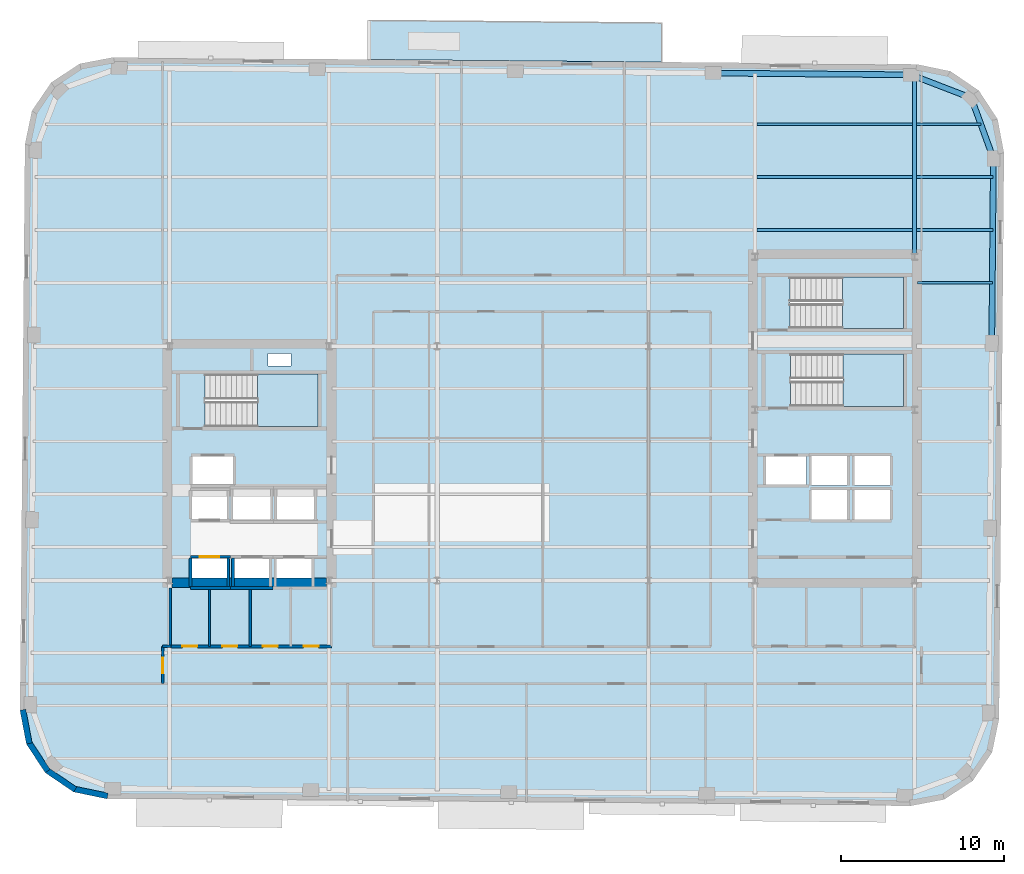
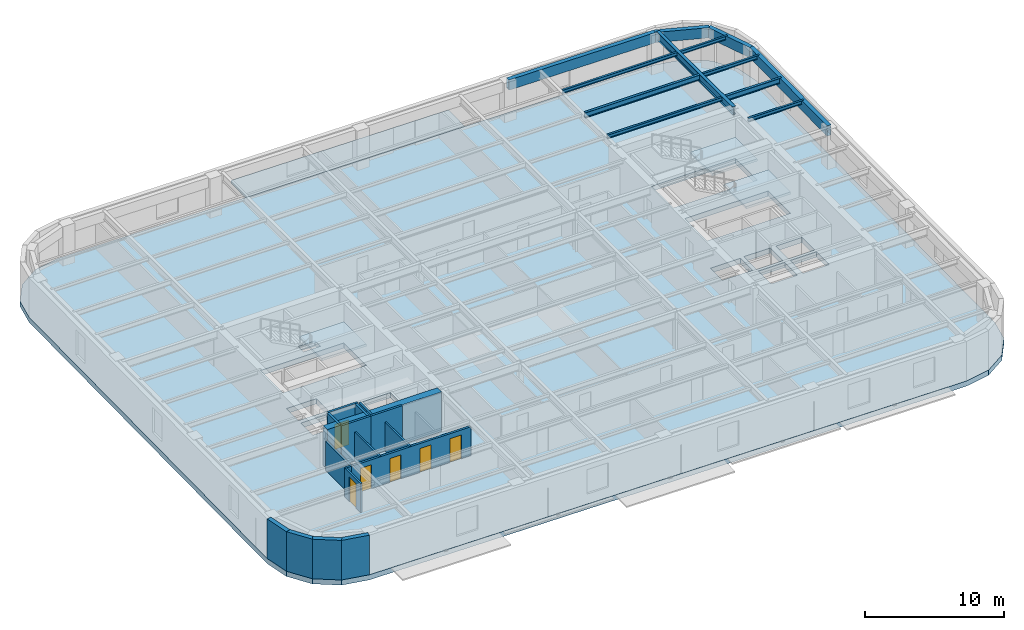
# One storey, part 3 of 11: 17 walls, 12 beams, 6 doors, 5 slabs, 6 openings, 3 elements without a shape of their own.
"""IFC4 building model written with IfcOpenShell, lengths in metres."""

from ifc_helpers import new_model, si_unit, direction, frame, frame_2d, origin, origin_2d, place, context, subcontext, project, spatial, polyline, rectangle, hollow_rectangle, i_section, outline, extrude, material, layer, layer_set, material_profile, profile_set, type_object, element, fill, aggregate, save


model = new_model("IFC4")

# Units and contexts
model_context = context("Model", 3, precision=1e-05, world=origin(), true_north=direction((0.0, 1.0)))
body_context = subcontext(model_context, "Body", "Model", "MODEL_VIEW")
ifc_project = project(units=[si_unit("LENGTHUNIT", "METRE"), si_unit("AREAUNIT", "SQUARE_METRE"), si_unit("VOLUMEUNIT", "CUBIC_METRE"), si_unit("PLANEANGLEUNIT", "RADIAN"), si_unit("MASSUNIT", "GRAM", prefix="KILO")], contexts=[model_context])

# Site, building, storey
site_placement = place(None, origin())
site = spatial("IfcSite", under=ifc_project, at=site_placement, CompositionType="ELEMENT")
building_placement = place(site_placement, origin())
building = spatial("IfcBuilding", under=site, at=building_placement, Name="Kolvaren Arena Tower", CompositionType="ELEMENT")
storey_placement = place(building_placement, frame((0.0, 0.0, 158.449951171875)))
storey = spatial("IfcBuildingStorey", under=building, at=storey_placement, Name="L37", CompositionType="ELEMENT", Elevation=158.449951171875)

# Beams
ifc_material_1 = material(Name="Steel CSA G40.21 350W", Category="steel")
ifc_material_profile_1 = material_profile(ifc_material_1, i_section(OverallWidth=0.193115234375, OverallDepth=0.462890625, WebThickness=0.0107421875, FlangeThickness=0.0205078125, FilletRadius=0.012939453125, at=origin_2d()), Name="W460x113")
ifc_profile_set_1 = profile_set([ifc_material_profile_1], Name="Steel CSA G40.21 350W")
beam_type_1 = type_object("IfcBeamType", Name="BEAM-F2", PredefinedType="BEAM", material=ifc_profile_set_1)
beam_1_placement = place(storey_placement, frame((60.4775390625, 41.0, 3.24853515625), z_axis=(1.0, 0.0, 0.0), x_axis=(0.0, 1.0, 0.0)))
element("IfcBeam", 1, at=beam_1_placement, inside=storey, type_object=beam_type_1, Name="Composite Floor Beam (L37)", PredefinedType="BEAM", context=body_context, shape_type="SweptSolid", body=[
    extrude(i_section(OverallWidth=0.193115234375, OverallDepth=0.462890625, WebThickness=0.0107421875, FlangeThickness=0.0205078125, FilletRadius=0.012939453125, at=origin_2d()), origin(), (0.0, 0.0, 1.0), 4.681884765625),
])
beam_2_placement = place(storey_placement, frame((50.677490234375, 44.25, 3.24853515625), z_axis=(1.0, 0.0, 0.0), x_axis=(0.0, 1.0, 0.0)))
element("IfcBeam", 2, at=beam_2_placement, inside=storey, type_object=beam_type_1, Name="Composite Floor Beam (L37)", PredefinedType="BEAM", context=body_context, shape_type="SweptSolid", body=[
    extrude(i_section(OverallWidth=0.193115234375, OverallDepth=0.462890625, WebThickness=0.0107421875, FlangeThickness=0.0205078125, FilletRadius=0.012939453125, at=origin_2d()), origin(), (0.0, 0.0, 1.0), 9.544921875),
])
ifc_material_profile_2 = material_profile(ifc_material_1, i_section(OverallWidth=0.2548828125, OverallDepth=0.695068359375, WebThickness=0.01708984375, FlangeThickness=0.02978515625, FilletRadius=0.01611328125, at=origin_2d()), Name="W690x217")
ifc_profile_set_2 = profile_set([ifc_material_profile_2], Name="Steel CSA G40.21 350W")
beam_type_2 = type_object("IfcBeamType", Name="GIRD-T2", PredefinedType="BEAM", material=ifc_profile_set_2)
beam_3_placement = place(storey_placement, frame((60.35009765625, 39.47998046875, 3.132568359375), z_axis=(0.0, 1.0, 0.0), x_axis=(-1.0, 0.0, 0.0)))
element("IfcBeam", 3, at=beam_3_placement, inside=storey, type_object=beam_type_2, Name="Primary Floor Girder (L37)", PredefinedType="BEAM", context=body_context, shape_type="SweptSolid", body=[
    extrude(i_section(OverallWidth=0.2548828125, OverallDepth=0.695068359375, WebThickness=0.01708984375, FlangeThickness=0.02978515625, FilletRadius=0.01611328125, at=origin_2d()), origin(), (0.0, 0.0, 1.0), 10.976806640625),
])
ifc_material_profile_3 = material_profile(ifc_material_1, i_section(OverallWidth=0.1669921875, OverallDepth=0.31689453125, WebThickness=0.007568359375, FlangeThickness=0.01318359375, FilletRadius=0.010009765625, at=origin_2d()), Name="W310x52")
ifc_profile_set_3 = profile_set([ifc_material_profile_3], Name="Steel CSA G40.21 350W")
beam_type_3 = type_object("IfcBeamType", Name="JOIST-02", PredefinedType="JOIST", material=ifc_profile_set_3)
beam_4_placement = place(storey_placement, frame((60.52001953125, 37.75, 3.321533203125), z_axis=(1.0, 0.0, 0.0), x_axis=(0.0, 1.0, 0.0)))
element("IfcBeam", 4, at=beam_4_placement, inside=storey, type_object=beam_type_3, Name="Composite Floor Joist (L37)", PredefinedType="JOIST", context=body_context, shape_type="SweptSolid", body=[
    extrude(i_section(OverallWidth=0.1669921875, OverallDepth=0.31689453125, WebThickness=0.007568359375, FlangeThickness=0.01318359375, FilletRadius=0.010009765625, at=origin_2d()), origin(), (0.0, 0.0, 1.0), 4.611083984375),
])
beam_5_placement = place(storey_placement, frame((50.677490234375, 41.0, 3.321533203125), z_axis=(1.0, 0.0, 0.0), x_axis=(0.0, 1.0, 0.0)))
element("IfcBeam", 5, at=beam_5_placement, inside=storey, type_object=beam_type_3, Name="Composite Floor Joist (L37)", PredefinedType="JOIST", context=body_context, shape_type="SweptSolid", body=[
    extrude(i_section(OverallWidth=0.1669921875, OverallDepth=0.31689453125, WebThickness=0.007568359375, FlangeThickness=0.01318359375, FilletRadius=0.010009765625, at=origin_2d()), origin(), (0.0, 0.0, 1.0), 9.544921875),
])
beam_6_placement = place(storey_placement, frame((60.4775390625, 44.25, 3.321533203125), z_axis=(1.0, 0.0, 0.0), x_axis=(0.0, 1.0, 0.0)))
element("IfcBeam", 6, at=beam_6_placement, inside=storey, type_object=beam_type_3, Name="Composite Floor Joist (L37)", PredefinedType="JOIST", context=body_context, shape_type="SweptSolid", body=[
    extrude(i_section(OverallWidth=0.1669921875, OverallDepth=0.31689453125, WebThickness=0.007568359375, FlangeThickness=0.01318359375, FilletRadius=0.010009765625, at=origin_2d()), origin(), (0.0, 0.0, 1.0), 4.710205078125),
])
beam_7_placement = place(storey_placement, frame((50.677490234375, 47.5, 3.321533203125), z_axis=(1.0, 0.0, 0.0), x_axis=(0.0, 1.0, 0.0)))
element("IfcBeam", 7, at=beam_7_placement, inside=storey, type_object=beam_type_3, Name="Composite Floor Joist (L37)", PredefinedType="JOIST", context=body_context, shape_type="SweptSolid", body=[
    extrude(i_section(OverallWidth=0.1669921875, OverallDepth=0.31689453125, WebThickness=0.007568359375, FlangeThickness=0.01318359375, FilletRadius=0.010009765625, at=origin_2d()), origin(), (0.0, 0.0, 1.0), 9.544921875),
])
beam_8_placement = place(storey_placement, frame((60.4775390625, 47.5, 3.321533203125), z_axis=(1.0, 0.0, 0.0), x_axis=(0.0, 1.0, 0.0)))
element("IfcBeam", 8, at=beam_8_placement, inside=storey, type_object=beam_type_3, Name="Composite Floor Joist (L37)", PredefinedType="JOIST", context=body_context, shape_type="SweptSolid", body=[
    extrude(i_section(OverallWidth=0.1669921875, OverallDepth=0.31689453125, WebThickness=0.007568359375, FlangeThickness=0.01318359375, FilletRadius=0.010009765625, at=origin_2d()), origin(), (0.0, 0.0, 1.0), 3.950439453125),
])
ifc_material_2 = material(Name="Steel CSA G40.21 350WT", Category="steel")
ifc_material_profile_4 = material_profile(ifc_material_2, hollow_rectangle(XDim=0.35009765625, YDim=0.89990234375, WallThickness=0.02001953125, at=origin_2d()), Name="HSS 900x350x20")
ifc_profile_set_4 = profile_set([ifc_material_profile_4], Name="Steel CSA G40.21 350WT")
beam_type_4 = type_object("IfcBeamType", Name="SPAND-01", PredefinedType="SPANDREL", material=ifc_profile_set_4)
beam_9_placement = place(storey_placement, frame((65.098388671875, 34.026123046875, 3.030029296875), z_axis=(0.008741825937, 0.99996178951, 0.0), x_axis=(-0.99996178951, 0.008741825937, 0.0)))
element("IfcBeam", 9, at=beam_9_placement, inside=storey, type_object=beam_type_4, Name="Perimeter Spandrel Beam (L37)", PredefinedType="SPANDREL", context=body_context, shape_type="SweptSolid", body=[
    extrude(hollow_rectangle(XDim=0.35009765625, YDim=0.89990234375, WallThickness=0.02001953125, at=origin_2d()), origin(), (0.0, 0.0, 1.0), 11.36669921875),
])
for number, where, z_axis, x_axis, name in (
    (10, (65.19775390625, 45.392333984375, 3.030029296875), (-0.343059102458, 0.939313819882, 0.0), (-0.939313819882, -0.343059102458, 0.0), "Perimeter Spandrel Beam (L37)"),
    (11, (63.8388671875, 49.113037109375, 3.030029296875), (-0.933189846698, 0.359383792094, 0.0), (-0.359383792094, -0.933189846698, 0.0), "Perimeter Spandrel Beam (L37)"),
):
    element("IfcBeam", number, at=place(storey_placement, frame(where, z_axis=z_axis, x_axis=x_axis)), inside=storey, type_object=beam_type_4, Name=name, PredefinedType="SPANDREL", context=body_context, shape_type="SweptSolid", body=[
        extrude(hollow_rectangle(XDim=0.35009765625, YDim=0.89990234375, WallThickness=0.02001953125, at=origin_2d()), origin(), (0.0, 0.0, 1.0), 3.961181640625),
    ])
beam_10_placement = place(storey_placement, frame((60.142333984375, 50.53662109375, 3.030029296875), z_axis=(-0.99996195503, 0.008722871848, 0.0), x_axis=(-0.008722871848, -0.99996195503, 0.0)))
element("IfcBeam", 12, at=beam_10_placement, inside=storey, type_object=beam_type_4, Name="Perimeter Spandrel Beam (L37)", PredefinedType="SPANDREL", context=body_context, shape_type="SweptSolid", body=[
    extrude(hollow_rectangle(XDim=0.35009765625, YDim=0.89990234375, WallThickness=0.02001953125, at=origin_2d()), origin(), (0.0, 0.0, 1.0), 12.175048828125),
])

# Stair, slab
ifc_material_3 = material(Name="Concrete 45 MPa", Category="concrete")
stair_type_1 = type_object("IfcStairType", Name="STAIR-CORE-165", PredefinedType="HALF_TURN_STAIR", material=ifc_material_3)
stair_1_placement = place(storey_placement, origin())
stair_1 = element("IfcStair", 13, at=stair_1_placement, inside=storey, type_object=stair_type_1, Name="L37 ST-W1", PredefinedType="HALF_TURN_STAIR")
ifc_layer_1 = layer(ifc_material_3, 0.199951171875)
ifc_layer_set_1 = layer_set([ifc_layer_1], Name="Concrete 45 MPa")
slab_type_1 = type_object("IfcSlabType", Name="SLAB-LAND", PredefinedType="LANDING", material=ifc_layer_set_1)
slab_1_placement = place(storey_placement, frame((0.0, 0.0, 1.675048828125)))
slab_1 = element("IfcSlab", 14, at=slab_1_placement, type_object=slab_type_1, Name="ST-W1 landing 1", PredefinedType="LANDING", context=body_context, shape_type="SweptSolid", body=[
    extrude(outline(polyline([(19.9599609375, 28.89990234375), (23.659912109375, 28.89990234375), (23.659912109375, 32.1298828125), (19.9599609375, 32.1298828125), (19.9599609375, 28.89990234375)])), origin(), (0.0, 0.0, 1.0), 0.199951171875),
])
aggregate(stair_1, [slab_1])

stair_2_placement = place(storey_placement, origin())
stair_2 = element("IfcStair", 15, at=stair_2_placement, inside=storey, type_object=stair_type_1, Name="L37 ST-E1", PredefinedType="HALF_TURN_STAIR")
slab_2_placement = place(storey_placement, frame((0.0, 0.0, 1.675048828125)))
slab_2 = element("IfcSlab", 16, at=slab_2_placement, type_object=slab_type_1, Name="ST-E1 landing 1", PredefinedType="LANDING", context=body_context, shape_type="SweptSolid", body=[
    extrude(outline(polyline([(55.9599609375, 30.14990234375), (59.659912109375, 30.14990234375), (59.659912109375, 33.3798828125), (55.9599609375, 33.3798828125), (55.9599609375, 30.14990234375)])), origin(), (0.0, 0.0, 1.0), 0.199951171875),
])
aggregate(stair_2, [slab_2])

stair_type_2 = type_object("IfcStairType", Name="STAIR-CORE-150", PredefinedType="HALF_TURN_STAIR", material=ifc_material_3)
stair_3_placement = place(storey_placement, origin())
stair_3 = element("IfcStair", 17, at=stair_3_placement, inside=storey, type_object=stair_type_2, Name="L37 ST-E2", PredefinedType="HALF_TURN_STAIR")
slab_3_placement = place(storey_placement, frame((0.0, 0.0, 1.675048828125)))
slab_3 = element("IfcSlab", 18, at=slab_3_placement, type_object=slab_type_1, Name="ST-E2 landing 1", PredefinedType="LANDING", context=body_context, shape_type="SweptSolid", body=[
    extrude(outline(polyline([(55.919921875, 34.949951171875), (59.659912109375, 34.949951171875), (59.659912109375, 38.10009765625), (55.919921875, 38.10009765625), (55.919921875, 34.949951171875)])), origin(), (0.0, 0.0, 1.0), 0.199951171875),
])
aggregate(stair_3, [slab_3])

# Slabs
ifc_layer_2 = layer(ifc_material_3, 0.2548828125)
ifc_layer_set_2 = layer_set([ifc_layer_2], Name="Concrete 45 MPa")
slab_type_2 = type_object("IfcSlabType", Name="SLAB-TERR", PredefinedType="FLOOR", material=ifc_layer_set_2)
slab_4_placement = place(storey_placement, frame((0.0, 0.0, -0.25)))
element("IfcSlab", 19, at=slab_4_placement, inside=storey, type_object=slab_type_2, Name="L37 Planted Setback Roof Terrace Slab", PredefinedType="FLOOR", context=body_context, shape_type="SweptSolid", body=[
    extrude(outline(polyline([(26.79931640625, 51.477783203125), (44.798583984375, 51.320556640625), (44.819580078125, 53.720458984375), (26.8203125, 53.877685546875), (26.79931640625, 51.477783203125)])), origin(), (0.0, 0.0, 1.0), 0.25),
])
ifc_material_4 = material(Name="Concrete 60 MPa", Category="concrete")
ifc_layer_3 = layer(ifc_material_4, 0.449951171875)
ifc_layer_set_3 = layer_set([ifc_layer_3], Name="Concrete 60 MPa")
slab_type_3 = type_object("IfcSlabType", Name="SLAB-TRANS", PredefinedType="FLOOR", material=ifc_layer_set_3)
slab_5_placement = place(storey_placement, frame((0.0, 0.0, -0.449951171875)))
element("IfcSlab", 20, at=slab_5_placement, inside=storey, type_object=slab_type_3, Name="L37 Primary Structural Slab", PredefinedType="FLOOR", context=body_context, shape_type="SweptSolid", body=[
    extrude(outline(polyline([(60.10009765625, 5.585205078125), (62.170166015625, 5.978271484375), (63.93212890625, 7.133544921875), (65.117919921875, 8.875244140625), (65.547119140625, 10.93798828125), (65.8505859375, 45.73681640625), (65.457763671875, 47.806640625), (64.302490234375, 49.568603515625), (62.560791015625, 50.75439453125), (60.498046875, 51.18359375), (11.099853515625, 51.61474609375), (9.02978515625, 51.2216796875), (7.267822265625, 50.06640625), (6.08203125, 48.32470703125), (5.653076171875, 46.261962890625), (5.349365234375, 11.46337890625), (5.7421875, 9.393310546875), (6.8974609375, 7.63134765625), (8.63916015625, 6.445556640625), (10.701904296875, 6.016357421875), (60.10009765625, 5.585205078125)]), holes=[polyline([(15.93505859375, 19.0849609375), (15.93505859375, 20.81494140625), (18.06494140625, 20.81494140625), (18.06494140625, 19.0849609375), (15.93505859375, 19.0849609375)]), polyline([(18.534912109375, 19.0849609375), (18.534912109375, 20.81494140625), (20.6650390625, 20.81494140625), (20.6650390625, 19.0849609375), (18.534912109375, 19.0849609375)]), polyline([(21.135009765625, 19.0849609375), (21.135009765625, 20.81494140625), (23.264892578125, 20.81494140625), (23.264892578125, 19.0849609375), (21.135009765625, 19.0849609375)]), polyline([(18.4599609375, 23.135009765625), (18.4599609375, 25.06494140625), (20.739990234375, 25.06494140625), (20.739990234375, 23.135009765625), (18.4599609375, 23.135009765625)]), polyline([(21.159912109375, 23.135009765625), (21.159912109375, 25.06494140625), (23.43994140625, 25.06494140625), (23.43994140625, 23.135009765625), (21.159912109375, 23.135009765625)]), polyline([(54.030029296875, 23.18505859375), (54.030029296875, 25.014892578125), (56.2099609375, 25.014892578125), (56.2099609375, 23.18505859375), (54.030029296875, 23.18505859375)]), polyline([(56.669921875, 23.18505859375), (56.669921875, 25.014892578125), (58.85009765625, 25.014892578125), (58.85009765625, 23.18505859375), (56.669921875, 23.18505859375)]), polyline([(15.93505859375, 23.235107421875), (15.93505859375, 24.965087890625), (18.06494140625, 24.965087890625), (18.06494140625, 23.235107421875), (15.93505859375, 23.235107421875)]), polyline([(54.030029296875, 25.284912109375), (54.030029296875, 27.114990234375), (56.2099609375, 27.114990234375), (56.2099609375, 25.284912109375), (54.030029296875, 25.284912109375)]), polyline([(56.669921875, 25.284912109375), (56.669921875, 27.114990234375), (58.85009765625, 27.114990234375), (58.85009765625, 25.284912109375), (56.669921875, 25.284912109375)]), polyline([(15.9599609375, 25.3349609375), (15.9599609375, 27.06494140625), (18.43994140625, 27.06494140625), (18.43994140625, 25.3349609375), (15.9599609375, 25.3349609375)]), polyline([(51.219970703125, 25.3349609375), (51.219970703125, 27.06494140625), (53.699951171875, 27.06494140625), (53.699951171875, 25.3349609375), (51.219970703125, 25.3349609375)]), polyline([(16.735107421875, 28.89990234375), (16.735107421875, 32.1298828125), (23.659912109375, 32.1298828125), (23.659912109375, 28.89990234375), (16.735107421875, 28.89990234375)]), polyline([(52.735107421875, 30.14990234375), (52.735107421875, 33.3798828125), (59.659912109375, 33.3798828125), (59.659912109375, 30.14990234375), (52.735107421875, 30.14990234375)]), polyline([(20.60009765625, 32.6201171875), (20.60009765625, 33.39990234375), (22.0, 33.39990234375), (22.0, 32.6201171875), (20.60009765625, 32.6201171875)]), polyline([(52.695068359375, 34.949951171875), (52.695068359375, 38.10009765625), (59.659912109375, 38.10009765625), (59.659912109375, 34.949951171875), (52.695068359375, 34.949951171875)])]), origin(), (0.0, 0.0, 1.0), 0.449951171875),
])

# Wall, opening, door
ifc_material_5 = material(Name="Gypsum board acoustic assembly", Category="gypsum")
ifc_layer_4 = layer(ifc_material_5, 0.159912109375)
ifc_layer_set_4 = layer_set([ifc_layer_4], Name="Gypsum board acoustic assembly")
wall_type_1 = type_object("IfcWallType", Name="CORR-160", PredefinedType="PARTITIONING", material=ifc_layer_set_4)
wall_1_placement = place(storey_placement, frame((14.1201171875, 13.10009765625, 0.0), z_axis=(0.0, 0.0, 1.0), x_axis=(0.0, 1.0, 0.0)))
wall_1 = element("IfcWall", 21, at=wall_1_placement, inside=storey, type_object=wall_type_1, Name="Interior Partition Wall (L37)", PredefinedType="PARTITIONING", context=body_context, shape_type="SweptSolid", body=[
    extrude(rectangle(XDim=2.2998046875, YDim=0.159912109375, at=frame_2d((1.14990234375, 0.0))), origin(), (0.0, 0.0, 1.0), 2.5400390625),
])
opening_1_placement = place(wall_1_placement, frame((0.64990234375, 0.0, 0.0)))
opening_1 = element("IfcOpeningElement", 22, at=opening_1_placement, cuts=wall_1, Name="Opening D05", PredefinedType="OPENING", context=body_context, shape_type="SweptSolid", body=[
    extrude(rectangle(XDim=0.949951171875, YDim=2.14990234375, at=frame_2d((0.47509765625, 1.074951171875))), frame((0.0, 0.08984375, 0.0), z_axis=(0.0, -1.0, 0.0), x_axis=(1.0, 0.0, 0.0)), (0.0, 0.0, 1.0), 0.179931640625),
])
ifc_material_6 = material(Name="Solid-core oak acoustic office door", Category="wood")
door_type_1 = type_object("IfcDoorType", Name="DOOR-OF-095", OperationType="NOTDEFINED", PredefinedType="DOOR", material=ifc_material_6)
door_1_placement = place(opening_1_placement, origin())
door_1 = element("IfcDoor", 23, at=door_1_placement, inside=storey, type_object=door_type_1, Name="West Wing Office Door (L37)", OperationType="SINGLE_SWING_LEFT", OverallHeight=2.14990234375, OverallWidth=0.949951171875, PredefinedType="DOOR", context=body_context, shape_type="SweptSolid", body=[
    extrude(rectangle(XDim=0.949951171875, YDim=2.14990234375, at=frame_2d((0.47509765625, 1.074951171875))), frame((0.0, 0.02490234375, 0.0), z_axis=(0.0, -1.0, 0.0), x_axis=(1.0, 0.0, 0.0)), (0.0, 0.0, 1.0), 0.050048828125),
])
fill(opening_1, door_1)

# Walls
wall_2_placement = place(storey_placement, frame((14.1201171875, 15.39990234375, 0.0), z_axis=(0.0, 0.0, 1.0), x_axis=(1.0, 0.0, 0.0)))
element("IfcWall", 24, at=wall_2_placement, inside=storey, type_object=wall_type_1, Name="Interior Partition Wall (L37)", PredefinedType="PARTITIONING", context=body_context, shape_type="SweptSolid", body=[
    extrude(rectangle(XDim=0.5, YDim=0.159912109375, at=frame_2d((0.25, 0.0))), origin(), (0.0, 0.0, 1.0), 2.5400390625),
])
ifc_layer_5 = layer(ifc_material_4, 0.60009765625)
ifc_layer_set_5 = layer_set([ifc_layer_5], Name="Concrete 60 MPa")
wall_type_2 = type_object("IfcWallType", Name="CWALL-600", PredefinedType="SHEAR", material=ifc_layer_set_5)
wall_3_placement = place(storey_placement, frame((14.699951171875, 19.300048828125, -0.449951171875), z_axis=(0.0, 0.0, 1.0), x_axis=(1.0, 0.0, 0.0)))
element("IfcWall", 25, at=wall_3_placement, inside=storey, type_object=wall_type_2, Name="Core Shear Wall WC-SOUTH (L37)", PredefinedType="SHEAR", context=body_context, shape_type="SweptSolid", body=[
    extrude(rectangle(XDim=9.5, YDim=0.60009765625, at=frame_2d((4.75, 0.0))), origin(), (0.0, 0.0, 1.0), 3.929931640625),
])
ifc_material_7 = material(Name="Precast concrete C50/60", Category="concrete")
ifc_layer_6 = layer(ifc_material_7, 0.360107421875)
ifc_layer_set_6 = layer_set([ifc_layer_6], Name="Precast concrete C50/60")
wall_type_3 = type_object("IfcWallType", Name="EXT-PIER2", PredefinedType="SOLIDWALL", material=ifc_layer_set_6)
for number, where, z_axis, x_axis, name in (
    (26, (5.919189453125, 9.427001953125, 0.0), (0.0, 0.0, 1.0), (-0.186568933123, 0.982441872679, 0.0), "Exterior Precast Masonry-Frame Wall (L37)"),
    (27, (7.048095703125, 7.72998046875, 0.0), (0.0, 0.0, 1.0), (-0.548319766745, 0.836268756678, 0.0), "Exterior Precast Masonry-Frame Wall (L37)"),
    (28, (8.740478515625, 6.59423828125, 0.0), (0.0, 0.0, 1.0), (-0.826609569219, 0.56277581689, 0.0), "Exterior Precast Masonry-Frame Wall (L37)"),
):
    element("IfcWall", number, at=place(storey_placement, frame(where, z_axis=z_axis, x_axis=x_axis)), inside=storey, type_object=wall_type_3, Name=name, PredefinedType="SOLIDWALL", context=body_context, shape_type="SweptSolid", body=[
        extrude(rectangle(XDim=2.10693359375, YDim=0.360107421875, at=frame_2d((1.053466796875, 0.0))), origin(), (0.0, 0.0, 1.0), 3.47998046875),
    ])
wall_4_placement = place(storey_placement, frame((10.73876953125, 6.192626953125, 0.0), z_axis=(0.0, 0.0, 1.0), x_axis=(-0.979059388908, 0.203574833883, 0.0)))
element("IfcWall", 29, at=wall_4_placement, inside=storey, type_object=wall_type_3, Name="Exterior Precast Masonry-Frame Wall (L37)", PredefinedType="SOLIDWALL", context=body_context, shape_type="SweptSolid", body=[
    extrude(rectangle(XDim=2.107177734375, YDim=0.360107421875, at=frame_2d((1.0537109375, 0.0))), origin(), (0.0, 0.0, 1.0), 3.47998046875),
])

# Wall, opening, door
ifc_layer_7 = layer(ifc_material_3, 0.25)
ifc_layer_set_7 = layer_set([ifc_layer_7], Name="Concrete 45 MPa")
wall_type_4 = type_object("IfcWallType", Name="SHAFT-250", PredefinedType="SOLIDWALL", material=ifc_layer_set_7)
wall_5_placement = place(storey_placement, frame((15.844970703125, 20.905029296875, 0.0), z_axis=(0.0, 0.0, 1.0), x_axis=(1.0, 0.0, 0.0)))
wall_5 = element("IfcWall", 30, at=wall_5_placement, inside=storey, type_object=wall_type_4, Name="Core Shaft Wall (L37)", PredefinedType="SOLIDWALL", context=body_context, shape_type="SweptSolid", body=[
    extrude(rectangle(XDim=2.455078125, YDim=0.179931640625, at=frame_2d((1.2275390625, 0.0))), origin(), (0.0, 0.0, 1.0), 3.47998046875),
])
opening_2_placement = place(wall_5_placement, frame((0.554931640625, 0.0, 0.0)))
opening_2 = element("IfcOpeningElement", 31, at=opening_2_placement, cuts=wall_5, Name="Opening LD1", PredefinedType="OPENING", context=body_context, shape_type="SweptSolid", body=[
    extrude(rectangle(XDim=1.199951171875, YDim=2.199951171875, at=frame_2d((0.60009765625, 1.10009765625))), frame((0.0, 0.099853515625, 0.0), z_axis=(0.0, -1.0, 0.0), x_axis=(1.0, 0.0, 0.0)), (0.0, 0.0, 1.0), 0.199951171875),
])
ifc_material_8 = material(Name="Stainless steel passenger lift landing door", Category="steel")
door_type_2 = type_object("IfcDoorType", Name="DOOR-LD-120", OperationType="DOUBLE_DOOR_SLIDING", PredefinedType="DOOR", material=ifc_material_8)
door_2_placement = place(opening_2_placement, origin())
door_2 = element("IfcDoor", 32, at=door_2_placement, inside=storey, type_object=door_type_2, Name="Lift EL-MR1 Landing Door (L37)", OperationType="DOUBLE_DOOR_SLIDING", OverallHeight=2.199951171875, OverallWidth=1.199951171875, PredefinedType="DOOR", context=body_context, shape_type="SweptSolid", body=[
    extrude(rectangle(XDim=1.199951171875, YDim=2.199951171875, at=frame_2d((0.60009765625, 1.10009765625))), frame((0.0, 0.02490234375, 0.0), z_axis=(0.0, -1.0, 0.0), x_axis=(1.0, 0.0, 0.0)), (0.0, 0.0, 1.0), 0.050048828125),
])
fill(opening_2, door_2)

# Walls
wall_6_placement = place(storey_placement, frame((15.844970703125, 18.9951171875, 0.0), z_axis=(0.0, 0.0, 1.0), x_axis=(1.0, 0.0, 0.0)))
element("IfcWall", 33, at=wall_6_placement, inside=storey, type_object=wall_type_4, Name="Core Shaft Wall (L37)", PredefinedType="SOLIDWALL", context=body_context, shape_type="SweptSolid", body=[
    extrude(rectangle(XDim=2.455078125, YDim=0.179931640625, at=frame_2d((1.2275390625, 0.0))), origin(), (0.0, 0.0, 1.0), 3.47998046875),
])
for number, where, z_axis, x_axis, name in (
    (34, (15.844970703125, 19.0849609375, 0.0), (0.0, 0.0, 1.0), (0.0, 1.0, 0.0), "Core Shaft Wall (L37)"),
    (35, (18.155029296875, 19.0849609375, 0.0), (0.0, 0.0, 1.0), (0.0, 1.0, 0.0), "Core Shaft Wall (L37)"),
):
    element("IfcWall", number, at=place(storey_placement, frame(where, z_axis=z_axis, x_axis=x_axis)), inside=storey, type_object=wall_type_4, Name=name, PredefinedType="SOLIDWALL", context=body_context, shape_type="SweptSolid", body=[
        extrude(rectangle(XDim=1.72998046875, YDim=0.179931640625, at=frame_2d((0.864990234375, 0.0))), origin(), (0.0, 0.0, 1.0), 3.47998046875),
    ])
wall_7_placement = place(storey_placement, frame((18.300048828125, 18.9951171875, 0.0), z_axis=(0.0, 0.0, 1.0), x_axis=(1.0, 0.0, 0.0)))
element("IfcWall", 36, at=wall_7_placement, inside=storey, type_object=wall_type_4, Name="Core Shaft Wall (L37)", PredefinedType="SOLIDWALL", context=body_context, shape_type="SweptSolid", body=[
    extrude(rectangle(XDim=2.599853515625, YDim=0.179931640625, at=frame_2d((1.2998046875, 0.0))), origin(), (0.0, 0.0, 1.0), 3.47998046875),
])
wall_8_placement = place(storey_placement, frame((18.445068359375, 19.0849609375, 0.0), z_axis=(0.0, 0.0, 1.0), x_axis=(0.0, 1.0, 0.0)))
element("IfcWall", 37, at=wall_8_placement, inside=storey, type_object=wall_type_4, Name="Core Shaft Wall (L37)", PredefinedType="SOLIDWALL", context=body_context, shape_type="SweptSolid", body=[
    extrude(rectangle(XDim=1.72998046875, YDim=0.179931640625, at=frame_2d((0.864990234375, 0.0))), origin(), (0.0, 0.0, 1.0), 3.47998046875),
])
ifc_material_9 = material(Name="Moisture-resistant gypsum assembly", Category="gypsum")
ifc_layer_8 = layer(ifc_material_9, 0.14990234375)
ifc_layer_set_8 = layer_set([ifc_layer_8], Name="Moisture-resistant gypsum assembly")
wall_type_5 = type_object("IfcWallType", Name="WETW-150", PredefinedType="PARTITIONING", material=ifc_layer_set_8)
for number, where, z_axis, x_axis, name in (
    (38, (17.0, 15.39990234375, 0.0), (0.0, 0.0, 1.0), (0.0, 1.0, 0.0), "Interior Partition Wall (L37)"),
    (39, (19.5, 15.39990234375, 0.0), (0.0, 0.0, 1.0), (0.0, 1.0, 0.0), "Interior Partition Wall (L37)"),
):
    element("IfcWall", number, at=place(storey_placement, frame(where, z_axis=z_axis, x_axis=x_axis)), inside=storey, type_object=wall_type_5, Name=name, PredefinedType="PARTITIONING", context=body_context, shape_type="SweptSolid", body=[
        extrude(rectangle(XDim=3.580078125, YDim=0.14990234375, at=frame_2d((1.7900390625, 0.0))), origin(), (0.0, 0.0, 1.0), 2.5400390625),
    ])

# Wall, openings, doors
wall_9_placement = place(storey_placement, frame((14.60009765625, 15.39990234375, 0.0), z_axis=(0.0, 0.0, 1.0), x_axis=(1.0, 0.0, 0.0)))
wall_9 = element("IfcWall", 40, at=wall_9_placement, inside=storey, type_object=wall_type_5, Name="Interior Partition Wall (L37)", PredefinedType="PARTITIONING", context=body_context, shape_type="SweptSolid", body=[
    extrude(rectangle(XDim=9.89990234375, YDim=0.179931640625, at=frame_2d((4.949951171875, 0.0))), origin(), (0.0, 0.0, 1.0), 2.5400390625),
])
opening_3_placement = place(wall_9_placement, frame((0.739990234375, 0.0, 0.0)))
opening_3 = element("IfcOpeningElement", 41, at=opening_3_placement, cuts=wall_9, Name="Opening D07", PredefinedType="OPENING", context=body_context, shape_type="SweptSolid", body=[
    extrude(rectangle(XDim=0.919921875, YDim=2.10009765625, at=frame_2d((0.4599609375, 1.050048828125))), frame((0.0, 0.099853515625, 0.0), z_axis=(0.0, -1.0, 0.0), x_axis=(1.0, 0.0, 0.0)), (0.0, 0.0, 1.0), 0.199951171875),
])
opening_4_placement = place(wall_9_placement, frame((3.18994140625, 0.0, 0.0)))
opening_4 = element("IfcOpeningElement", 42, at=opening_4_placement, cuts=wall_9, Name="Opening D07", PredefinedType="OPENING", context=body_context, shape_type="SweptSolid", body=[
    extrude(rectangle(XDim=0.919921875, YDim=2.10009765625, at=frame_2d((0.4599609375, 1.050048828125))), frame((0.0, 0.099853515625, 0.0), z_axis=(0.0, -1.0, 0.0), x_axis=(1.0, 0.0, 0.0)), (0.0, 0.0, 1.0), 0.199951171875),
])
opening_5_placement = place(wall_9_placement, frame((5.68994140625, 0.0, 0.0)))
opening_5 = element("IfcOpeningElement", 43, at=opening_5_placement, cuts=wall_9, Name="Opening D07", PredefinedType="OPENING", context=body_context, shape_type="SweptSolid", body=[
    extrude(rectangle(XDim=0.919921875, YDim=2.10009765625, at=frame_2d((0.4599609375, 1.050048828125))), frame((0.0, 0.099853515625, 0.0), z_axis=(0.0, -1.0, 0.0), x_axis=(1.0, 0.0, 0.0)), (0.0, 0.0, 1.0), 0.199951171875),
])
opening_6_placement = place(wall_9_placement, frame((8.18994140625, 0.0, 0.0)))
opening_6 = element("IfcOpeningElement", 44, at=opening_6_placement, cuts=wall_9, Name="Opening D07", PredefinedType="OPENING", context=body_context, shape_type="SweptSolid", body=[
    extrude(rectangle(XDim=0.919921875, YDim=2.10009765625, at=frame_2d((0.4599609375, 1.050048828125))), frame((0.0, 0.099853515625, 0.0), z_axis=(0.0, -1.0, 0.0), x_axis=(1.0, 0.0, 0.0)), (0.0, 0.0, 1.0), 0.199951171875),
])
ifc_material_10 = material(Name="Laminate universal washroom door", Category="wood")
door_type_3 = type_object("IfcDoorType", Name="DOOR-WC-092", OperationType="NOTDEFINED", PredefinedType="DOOR", material=ifc_material_10)
door_3_placement = place(opening_3_placement, origin())
door_3 = element("IfcDoor", 45, at=door_3_placement, inside=storey, type_object=door_type_3, Name="Cleaner and Janitor Store Door (L37)", OperationType="SINGLE_SWING_LEFT", OverallHeight=2.10009765625, OverallWidth=0.919921875, PredefinedType="DOOR", context=body_context, shape_type="SweptSolid", body=[
    extrude(rectangle(XDim=0.919921875, YDim=2.10009765625, at=frame_2d((0.4599609375, 1.050048828125))), frame((0.0, 0.02490234375, 0.0), z_axis=(0.0, -1.0, 0.0), x_axis=(1.0, 0.0, 0.0)), (0.0, 0.0, 1.0), 0.050048828125),
])
fill(opening_3, door_3)
door_4_placement = place(opening_4_placement, origin())
door_4 = element("IfcDoor", 46, at=door_4_placement, inside=storey, type_object=door_type_3, Name="Universal Barrier-Free Washroom Door (L37)", OperationType="SINGLE_SWING_RIGHT", OverallHeight=2.10009765625, OverallWidth=0.919921875, PredefinedType="DOOR", context=body_context, shape_type="SweptSolid", body=[
    extrude(rectangle(XDim=0.919921875, YDim=2.10009765625, at=frame_2d((0.4599609375, 1.050048828125))), frame((0.0, 0.02490234375, 0.0), z_axis=(0.0, -1.0, 0.0), x_axis=(1.0, 0.0, 0.0)), (0.0, 0.0, 1.0), 0.050048828125),
])
fill(opening_4, door_4)
door_5_placement = place(opening_5_placement, origin())
door_5 = element("IfcDoor", 47, at=door_5_placement, inside=storey, type_object=door_type_3, Name="Women Restroom Door (L37)", OperationType="SINGLE_SWING_LEFT", OverallHeight=2.10009765625, OverallWidth=0.919921875, PredefinedType="DOOR", context=body_context, shape_type="SweptSolid", body=[
    extrude(rectangle(XDim=0.919921875, YDim=2.10009765625, at=frame_2d((0.4599609375, 1.050048828125))), frame((0.0, 0.02490234375, 0.0), z_axis=(0.0, -1.0, 0.0), x_axis=(1.0, 0.0, 0.0)), (0.0, 0.0, 1.0), 0.050048828125),
])
fill(opening_5, door_5)
door_6_placement = place(opening_6_placement, origin())
door_6 = element("IfcDoor", 48, at=door_6_placement, inside=storey, type_object=door_type_3, Name="Men Restroom Door (L37)", OperationType="SINGLE_SWING_RIGHT", OverallHeight=2.10009765625, OverallWidth=0.919921875, PredefinedType="DOOR", context=body_context, shape_type="SweptSolid", body=[
    extrude(rectangle(XDim=0.919921875, YDim=2.10009765625, at=frame_2d((0.4599609375, 1.050048828125))), frame((0.0, 0.02490234375, 0.0), z_axis=(0.0, -1.0, 0.0), x_axis=(1.0, 0.0, 0.0)), (0.0, 0.0, 1.0), 0.050048828125),
])
fill(opening_6, door_6)

# Wall
wall_10_placement = place(storey_placement, frame((14.60009765625, 15.39990234375, 0.0), z_axis=(0.0, 0.0, 1.0), x_axis=(0.0, 1.0, 0.0)))
element("IfcWall", 49, at=wall_10_placement, inside=storey, type_object=wall_type_5, Name="Interior Partition Wall (L37)", PredefinedType="PARTITIONING", context=body_context, shape_type="SweptSolid", body=[
    extrude(rectangle(XDim=3.580078125, YDim=0.14990234375, at=frame_2d((1.7900390625, 0.0))), origin(), (0.0, 0.0, 1.0), 2.5400390625),
])

save(model, "model.ifc")
